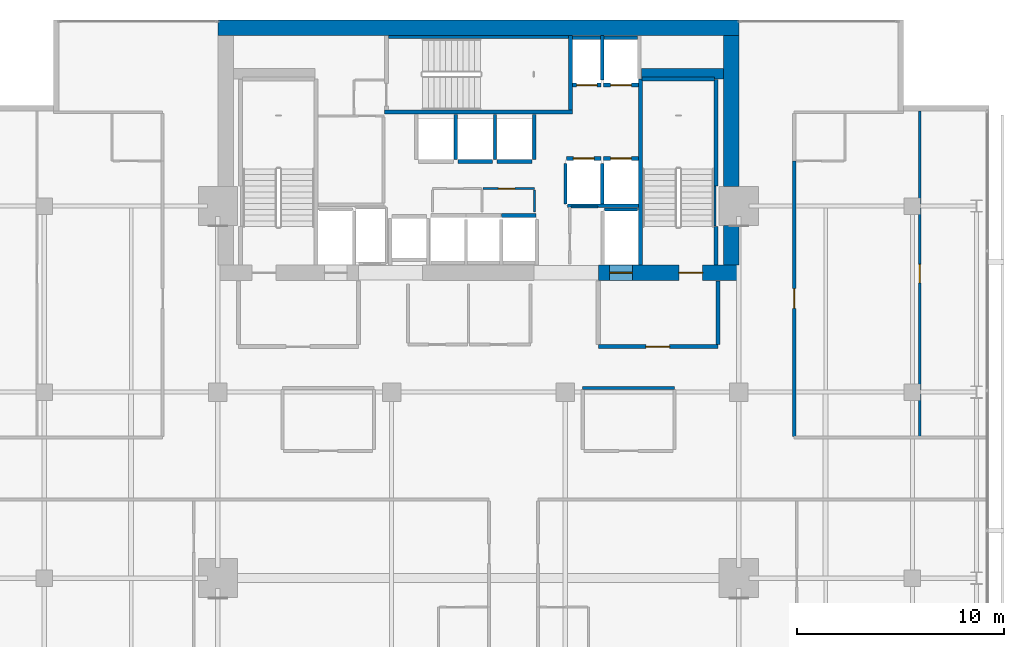
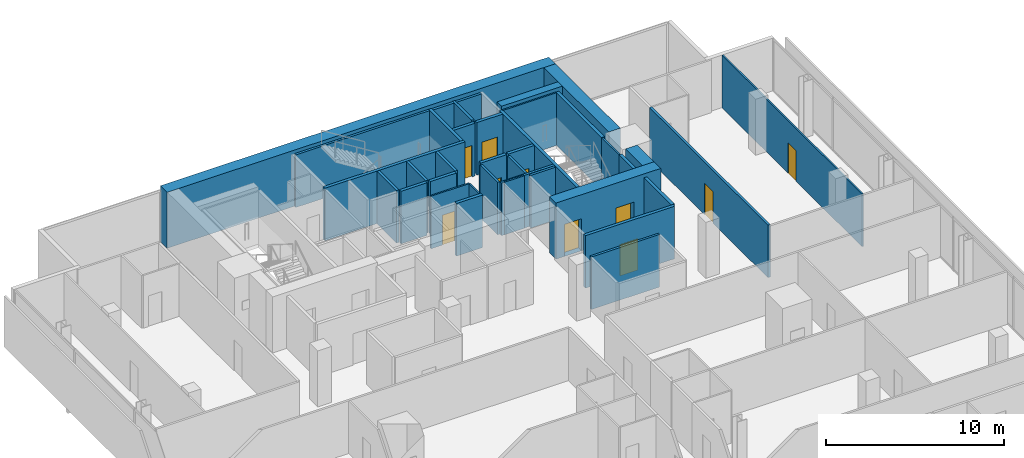
# One storey, part 30 of 33: 37 walls, 10 doors, 10 openings.
"""IFC4 building model written with IfcOpenShell, lengths in metres."""

from ifc_helpers import new_model, si_unit, direction, frame, frame_2d, origin, place, context, subcontext, project, spatial, rectangle, extrude, material, layer, layer_set, type_object, element, fill, save


model = new_model("IFC4")

# Units and contexts
model_context = context("Model", 3, precision=1e-05, world=origin(), true_north=direction((0.0, 1.0)))
body_context = subcontext(model_context, "Body", "Model", "MODEL_VIEW")
ifc_project = project(units=[si_unit("LENGTHUNIT", "METRE"), si_unit("AREAUNIT", "SQUARE_METRE"), si_unit("VOLUMEUNIT", "CUBIC_METRE"), si_unit("PLANEANGLEUNIT", "RADIAN"), si_unit("MASSUNIT", "GRAM", prefix="KILO")], contexts=[model_context])

# Site, building, storey
site_placement = place(None, origin())
site = spatial("IfcSite", under=ifc_project, at=site_placement, CompositionType="ELEMENT")
building_placement = place(site_placement, origin())
building = spatial("IfcBuilding", under=site, at=building_placement, Name="Maruvema Waterfront Hotel and Observation Tower", CompositionType="ELEMENT")
storey_placement = place(building_placement, frame((0.0, 0.0, 204.39990234375)))
storey = spatial("IfcBuildingStorey", under=building, at=storey_placement, Name="L50", CompositionType="ELEMENT", Elevation=204.39990234375)

# Wall
ifc_material_1 = material(Name="Twin-stud acoustic gypsum drywall", Category="gypsum")
ifc_layer_1 = layer(ifc_material_1, 0.14990234375, Name="Acoustic Corridor and Suite Demising Wall 150 mm")
ifc_layer_set_1 = layer_set([ifc_layer_1], Name="Twin-stud acoustic gypsum drywall")
wall_type_1 = type_object("IfcWallType", Name="Acoustic Corridor and Suite Demising Wall 150 mm", PredefinedType="PARTITIONING", material=ifc_layer_set_1)
wall_1_placement = place(storey_placement, frame((42.85009765625, 36.199951171875, 0.0), z_axis=(0.0, 0.0, 1.0), x_axis=(1.0, 0.0, 0.0)))
element("IfcWall", 1, at=wall_1_placement, inside=storey, type_object=wall_type_1, Name="L50 L50-M2 Back Wall 031", PredefinedType="PARTITIONING", context=body_context, shape_type="SweptSolid", body=[
    extrude(rectangle(XDim=4.429931640625, YDim=0.14990234375, at=frame_2d((2.21484375, 0.0))), origin(), (0.0, 0.0, 1.0), 3.610107421875),
])

# Wall, opening, door
wall_2_placement = place(storey_placement, frame((53.080078125, 33.860107421875, 0.0), z_axis=(0.0, 0.0, 1.0), x_axis=(0.0, 1.0, 0.0)))
wall_2 = element("IfcWall", 2, at=wall_2_placement, inside=storey, type_object=wall_type_1, Name="L50 Room L50-NE1 Corridor Wall 101", PredefinedType="PARTITIONING", context=body_context, shape_type="SweptSolid", body=[
    extrude(rectangle(XDim=13.327392578125, YDim=0.14990234375, at=frame_2d((6.66357421875, 0.0))), origin(), (0.0, 0.0, 1.0), 3.610107421875),
])
opening_1_placement = place(wall_2_placement, frame((6.188720703125, 0.0, 0.0)))
opening_1 = element("IfcOpeningElement", 3, at=opening_1_placement, cuts=wall_2, Name="Opening DR-095", PredefinedType="OPENING", context=body_context, shape_type="SweptSolid", body=[
    extrude(rectangle(XDim=0.949951171875, YDim=2.14990234375, at=frame_2d((0.47509765625, 1.074951171875))), frame((0.0, 0.0849609375, 0.0), z_axis=(0.0, -1.0, 0.0), x_axis=(1.0, 0.0, 0.0)), (0.0, 0.0, 1.0), 0.169921875),
])
ifc_material_2 = material(Name="Acoustic solid-core hardwood timber leaf", Category="wood")
door_type_1 = type_object("IfcDoorType", Name="Guestroom Entrance Fire Door 950x2150 mm", OperationType="NOTDEFINED", PredefinedType="DOOR", material=ifc_material_2)
door_1_placement = place(opening_1_placement, frame((0.949951171875, 0.0, 0.0), z_axis=(0.0, 0.0, 1.0), x_axis=(-1.0, 0.0, 0.0)))
door_1 = element("IfcDoor", 4, at=door_1_placement, inside=storey, type_object=door_type_1, Name="L50 Room L50-NE1 Entrance Door", OperationType="SINGLE_SWING_RIGHT", OverallHeight=2.14990234375, OverallWidth=0.949951171875, PredefinedType="DOOR", context=body_context, shape_type="SweptSolid", body=[
    extrude(rectangle(XDim=0.949951171875, YDim=2.14990234375, at=frame_2d((0.47509765625, 1.074951171875))), frame((0.0, 0.02490234375, 0.0), z_axis=(0.0, -1.0, 0.0), x_axis=(1.0, 0.0, 0.0)), (0.0, 0.0, 1.0), 0.050048828125),
])
fill(opening_1, door_1)

# Walls
ifc_material_3 = material(Name="Precast concrete C45/55", Category="concrete")
ifc_layer_2 = layer(ifc_material_3, 0.14990234375, Name="Core Shaft Furring Wall 150 mm")
ifc_layer_set_2 = layer_set([ifc_layer_2], Name="Precast concrete C45/55")
wall_type_2 = type_object("IfcWallType", Name="Core Shaft Furring Wall 150 mm", PredefinedType="SOLIDWALL", material=ifc_layer_set_2)
wall_3_placement = place(storey_placement, frame((33.449951171875, 53.175048828125, 0.0), z_axis=(0.0, 0.0, 1.0), x_axis=(1.0, 0.0, 0.0)))
element("IfcWall", 5, at=wall_3_placement, inside=storey, type_object=wall_type_2, Name="L50 Stairwell ST-02 North Furring Wall", PredefinedType="SOLIDWALL", context=body_context, shape_type="SweptSolid", body=[
    extrude(rectangle(XDim=8.699951171875, YDim=0.14990234375, at=frame_2d((4.35009765625, 0.0))), origin(), (0.0, 0.0, 1.0), 3.610107421875),
])
ifc_material_4 = material(Name="Precast concrete C45/55", Category="concrete")
ifc_layer_3 = layer(ifc_material_4, 0.199951171875, Name="Core Shaft and Stairwell Enclosure Wall 200 mm")
ifc_layer_set_3 = layer_set([ifc_layer_3], Name="Precast concrete C45/55")
wall_type_3 = type_object("IfcWallType", Name="Core Shaft and Stairwell Enclosure Wall 200 mm", PredefinedType="SOLIDWALL", material=ifc_layer_set_3)
wall_4_placement = place(storey_placement, frame((33.25, 49.550048828125, 0.0), z_axis=(0.0, 0.0, 1.0), x_axis=(1.0, 0.0, 0.0)))
element("IfcWall", 6, at=wall_4_placement, inside=storey, type_object=wall_type_3, Name="L50 Stairwell ST-02 Shaft Wall", PredefinedType="SOLIDWALL", context=body_context, shape_type="SweptSolid", body=[
    extrude(rectangle(XDim=9.10009765625, YDim=0.199951171875, at=frame_2d((4.550048828125, 0.0))), origin(), (0.0, 0.0, 1.0), 3.610107421875),
])
wall_5_placement = place(storey_placement, frame((42.25, 49.64990234375, 0.0), z_axis=(0.0, 0.0, 1.0), x_axis=(0.0, 1.0, 0.0)))
element("IfcWall", 7, at=wall_5_placement, inside=storey, type_object=wall_type_3, Name="L50 Stairwell ST-02 Shaft Wall", PredefinedType="SOLIDWALL", context=body_context, shape_type="SweptSolid", body=[
    extrude(rectangle(XDim=3.60009765625, YDim=0.199951171875, at=frame_2d((1.800048828125, 0.0))), origin(), (0.0, 0.0, 1.0), 3.610107421875),
])
wall_6_placement = place(storey_placement, frame((45.64990234375, 42.14990234375, 0.0), z_axis=(0.0, 0.0, 1.0), x_axis=(0.0, 1.0, 0.0)))
element("IfcWall", 8, at=wall_6_placement, inside=storey, type_object=wall_type_3, Name="L50 Stairwell ST-03 West Shaft Wall", PredefinedType="SOLIDWALL", context=body_context, shape_type="SweptSolid", body=[
    extrude(rectangle(XDim=9.0, YDim=0.199951171875, at=frame_2d((4.5, 0.0))), origin(), (0.0, 0.0, 1.0), 3.610107421875),
])
wall_7_placement = place(storey_placement, frame((49.300048828125, 42.14990234375, 0.0), z_axis=(0.0, 0.0, 1.0), x_axis=(0.0, 1.0, 0.0)))
element("IfcWall", 9, at=wall_7_placement, inside=storey, type_object=wall_type_3, Name="L50 Stairwell ST-03 Shaft Lining Wall", PredefinedType="SOLIDWALL", context=body_context, shape_type="SweptSolid", body=[
    extrude(rectangle(XDim=1.8701171875, YDim=0.199951171875, at=frame_2d((0.93505859375, 0.0))), origin(), (0.0, 0.0, 1.0), 3.610107421875),
])
wall_8_placement = place(storey_placement, frame((49.300048828125, 45.97998046875, 0.0), z_axis=(0.0, 0.0, 1.0), x_axis=(0.0, 1.0, 0.0)))
element("IfcWall", 10, at=wall_8_placement, inside=storey, type_object=wall_type_3, Name="L50 Stairwell ST-03 Shaft Lining Wall", PredefinedType="SOLIDWALL", context=body_context, shape_type="SweptSolid", body=[
    extrude(rectangle(XDim=5.14013671875, YDim=0.199951171875, at=frame_2d((2.570068359375, 0.0))), origin(), (0.0, 0.0, 1.0), 3.610107421875),
])
wall_9_placement = place(storey_placement, frame((45.719970703125, 51.14990234375, 0.0), z_axis=(0.0, 0.0, 1.0), x_axis=(1.0, 0.0, 0.0)))
element("IfcWall", 11, at=wall_9_placement, inside=storey, type_object=wall_type_3, Name="L50 Stairwell ST-03 Shaft Lining Wall", PredefinedType="SOLIDWALL", context=body_context, shape_type="SweptSolid", body=[
    extrude(rectangle(XDim=3.5, YDim=0.199951171875, at=frame_2d((1.75, 0.0))), origin(), (0.0, 0.0, 1.0), 3.610107421875),
])

# Wall, opening, door
wall_10_placement = place(storey_placement, frame((42.06005859375, 47.300048828125, 0.0), z_axis=(0.0, 0.0, 1.0), x_axis=(1.0, 0.0, 0.0)))
wall_10 = element("IfcWall", 12, at=wall_10_placement, inside=storey, type_object=wall_type_3, Name="L50 Lift LF-05 Hoistway Front Wall", PredefinedType="SOLIDWALL", context=body_context, shape_type="SweptSolid", body=[
    extrude(rectangle(XDim=1.679931640625, YDim=0.199951171875, at=frame_2d((0.83984375, 0.0))), origin(), (0.0, 0.0, 1.0), 3.610107421875),
])
opening_2_placement = place(wall_10_placement, frame((0.340087890625, 0.0, 0.0)))
opening_2 = element("IfcOpeningElement", 13, at=opening_2_placement, cuts=wall_10, Name="Opening LD-01", PredefinedType="OPENING", context=body_context, shape_type="SweptSolid", body=[
    extrude(rectangle(XDim=1.0, YDim=2.14990234375, at=frame_2d((0.5, 1.074951171875))), frame((0.0, 0.10986328125, 0.0), z_axis=(0.0, -1.0, 0.0), x_axis=(1.0, 0.0, 0.0)), (0.0, 0.0, 1.0), 0.219970703125),
])
ifc_material_5 = material(Name="Brushed stainless steel Grade 316", Category="steel")
door_type_2 = type_object("IfcDoorType", Name="Passenger Lift Sliding Landing Door 1000x2150 mm", OperationType="SLIDING_TO_LEFT", PredefinedType="DOOR", material=ifc_material_5)
door_2_placement = place(opening_2_placement, origin())
door_2 = element("IfcDoor", 14, at=door_2_placement, inside=storey, type_object=door_type_2, Name="L50 Lift LF-05 Sliding Landing Door", OperationType="SLIDING_TO_LEFT", OverallHeight=2.14990234375, OverallWidth=1.0, PredefinedType="DOOR", context=body_context, shape_type="SweptSolid", body=[
    extrude(rectangle(XDim=1.0, YDim=2.14990234375, at=frame_2d((0.5, 1.074951171875))), frame((0.0, 0.02490234375, 0.0), z_axis=(0.0, -1.0, 0.0), x_axis=(1.0, 0.0, 0.0)), (0.0, 0.0, 1.0), 0.050048828125),
])
fill(opening_2, door_2)

wall_11_placement = place(storey_placement, frame((43.860107421875, 47.300048828125, 0.0), z_axis=(0.0, 0.0, 1.0), x_axis=(1.0, 0.0, 0.0)))
wall_11 = element("IfcWall", 15, at=wall_11_placement, inside=storey, type_object=wall_type_3, Name="L50 Lift LF-06 Hoistway Front Wall", PredefinedType="SOLIDWALL", context=body_context, shape_type="SweptSolid", body=[
    extrude(rectangle(XDim=1.679931640625, YDim=0.199951171875, at=frame_2d((0.83984375, 0.0))), origin(), (0.0, 0.0, 1.0), 3.610107421875),
])
opening_3_placement = place(wall_11_placement, frame((0.340087890625, 0.0, 0.0)))
opening_3 = element("IfcOpeningElement", 16, at=opening_3_placement, cuts=wall_11, Name="Opening LD-01", PredefinedType="OPENING", context=body_context, shape_type="SweptSolid", body=[
    extrude(rectangle(XDim=1.0, YDim=2.14990234375, at=frame_2d((0.5, 1.074951171875))), frame((0.0, 0.10986328125, 0.0), z_axis=(0.0, -1.0, 0.0), x_axis=(1.0, 0.0, 0.0)), (0.0, 0.0, 1.0), 0.219970703125),
])
door_3_placement = place(opening_3_placement, origin())
door_3 = element("IfcDoor", 17, at=door_3_placement, inside=storey, type_object=door_type_2, Name="L50 Lift LF-06 Sliding Landing Door", OperationType="SLIDING_TO_LEFT", OverallHeight=2.14990234375, OverallWidth=1.0, PredefinedType="DOOR", context=body_context, shape_type="SweptSolid", body=[
    extrude(rectangle(XDim=1.0, YDim=2.14990234375, at=frame_2d((0.5, 1.074951171875))), frame((0.0, 0.02490234375, 0.0), z_axis=(0.0, -1.0, 0.0), x_axis=(1.0, 0.0, 0.0)), (0.0, 0.0, 1.0), 0.050048828125),
])
fill(opening_3, door_3)

wall_12_placement = place(storey_placement, frame((42.360107421875, 50.85009765625, 0.0), z_axis=(0.0, 0.0, 1.0), x_axis=(1.0, 0.0, 0.0)))
wall_12 = element("IfcWall", 18, at=wall_12_placement, inside=storey, type_object=wall_type_3, Name="L50 Lift LF-07 Hoistway Front Wall", PredefinedType="SOLIDWALL", context=body_context, shape_type="SweptSolid", body=[
    extrude(rectangle(XDim=1.3798828125, YDim=0.199951171875, at=frame_2d((0.68994140625, 0.0))), origin(), (0.0, 0.0, 1.0), 3.610107421875),
])
opening_4_placement = place(wall_12_placement, frame((0.18994140625, 0.0, 0.0)))
opening_4 = element("IfcOpeningElement", 19, at=opening_4_placement, cuts=wall_12, Name="Opening LD-01", PredefinedType="OPENING", context=body_context, shape_type="SweptSolid", body=[
    extrude(rectangle(XDim=1.0, YDim=2.14990234375, at=frame_2d((0.5, 1.074951171875))), frame((0.0, 0.10986328125, 0.0), z_axis=(0.0, -1.0, 0.0), x_axis=(1.0, 0.0, 0.0)), (0.0, 0.0, 1.0), 0.219970703125),
])
door_4_placement = place(opening_4_placement, frame((1.0, 0.0, 0.0), z_axis=(0.0, 0.0, 1.0), x_axis=(-1.0, 0.0, 0.0)))
door_4 = element("IfcDoor", 20, at=door_4_placement, inside=storey, type_object=door_type_2, Name="L50 Lift LF-07 Sliding Landing Door", OperationType="SLIDING_TO_LEFT", OverallHeight=2.14990234375, OverallWidth=1.0, PredefinedType="DOOR", context=body_context, shape_type="SweptSolid", body=[
    extrude(rectangle(XDim=1.0, YDim=2.14990234375, at=frame_2d((0.5, 1.074951171875))), frame((0.0, 0.02490234375, 0.0), z_axis=(0.0, -1.0, 0.0), x_axis=(1.0, 0.0, 0.0)), (0.0, 0.0, 1.0), 0.050048828125),
])
fill(opening_4, door_4)

wall_13_placement = place(storey_placement, frame((43.860107421875, 50.85009765625, 0.0), z_axis=(0.0, 0.0, 1.0), x_axis=(1.0, 0.0, 0.0)))
wall_13 = element("IfcWall", 21, at=wall_13_placement, inside=storey, type_object=wall_type_3, Name="L50 Lift LF-08 Hoistway Front Wall", PredefinedType="SOLIDWALL", context=body_context, shape_type="SweptSolid", body=[
    extrude(rectangle(XDim=1.679931640625, YDim=0.199951171875, at=frame_2d((0.83984375, 0.0))), origin(), (0.0, 0.0, 1.0), 3.610107421875),
])
opening_5_placement = place(wall_13_placement, frame((0.340087890625, 0.0, 0.0)))
opening_5 = element("IfcOpeningElement", 22, at=opening_5_placement, cuts=wall_13, Name="Opening LD-01", PredefinedType="OPENING", context=body_context, shape_type="SweptSolid", body=[
    extrude(rectangle(XDim=1.0, YDim=2.14990234375, at=frame_2d((0.5, 1.074951171875))), frame((0.0, 0.10986328125, 0.0), z_axis=(0.0, -1.0, 0.0), x_axis=(1.0, 0.0, 0.0)), (0.0, 0.0, 1.0), 0.219970703125),
])
door_5_placement = place(opening_5_placement, frame((1.0, 0.0, 0.0), z_axis=(0.0, 0.0, 1.0), x_axis=(-1.0, 0.0, 0.0)))
door_5 = element("IfcDoor", 23, at=door_5_placement, inside=storey, type_object=door_type_2, Name="L50 Lift LF-08 Sliding Landing Door", OperationType="SLIDING_TO_LEFT", OverallHeight=2.14990234375, OverallWidth=1.0, PredefinedType="DOOR", context=body_context, shape_type="SweptSolid", body=[
    extrude(rectangle(XDim=1.0, YDim=2.14990234375, at=frame_2d((0.5, 1.074951171875))), frame((0.0, 0.02490234375, 0.0), z_axis=(0.0, -1.0, 0.0), x_axis=(1.0, 0.0, 0.0)), (0.0, 0.0, 1.0), 0.050048828125),
])
fill(opening_5, door_5)

# Walls
wall_14_placement = place(storey_placement, frame((38.909912109375, 44.550048828125, 0.0), z_axis=(0.0, 0.0, 1.0), x_axis=(1.0, 0.0, 0.0)))
element("IfcWall", 24, at=wall_14_placement, inside=storey, type_object=wall_type_3, Name="L50 Lift LF-11 Hoistway Front Wall", PredefinedType="SOLIDWALL", context=body_context, shape_type="SweptSolid", body=[
    extrude(rectangle(XDim=1.68017578125, YDim=0.199951171875, at=frame_2d((0.840087890625, 0.0))), origin(), (0.0, 0.0, 1.0), 3.610107421875),
])
for number, where, z_axis, x_axis, name in (
    (25, (36.81005859375, 47.14990234375, 0.0), (0.0, 0.0, 1.0), (1.0, 0.0, 0.0), "L50 Lift LF-13 Hoistway Front Wall"),
    (26, (38.7099609375, 47.14990234375, 0.0), (0.0, 0.0, 1.0), (1.0, 0.0, 0.0), "L50 Lift LF-14 Hoistway Front Wall"),
):
    element("IfcWall", number, at=place(storey_placement, frame(where, z_axis=z_axis, x_axis=x_axis)), inside=storey, type_object=wall_type_3, Name=name, PredefinedType="SOLIDWALL", context=body_context, shape_type="SweptSolid", body=[
        extrude(rectangle(XDim=1.679931640625, YDim=0.199951171875, at=frame_2d((0.83984375, 0.0))), origin(), (0.0, 0.0, 1.0), 3.610107421875),
    ])
ifc_material_6 = material(Name="Concrete C70/85", Category="concrete")
ifc_layer_4 = layer(ifc_material_6, 0.5, Name="Core Shear Wall 500 mm")
ifc_layer_set_4 = layer_set([ifc_layer_4], Name="Concrete C70/85")
wall_type_4 = type_object("IfcWallType", Name="Core Shear Wall 500 mm", PredefinedType="SHEAR", material=ifc_layer_set_4)
wall_15_placement = place(storey_placement, frame((45.699951171875, 51.39990234375, 0.0), z_axis=(0.0, 0.0, 1.0), x_axis=(1.0, 0.0, 0.0)))
element("IfcWall", 27, at=wall_15_placement, inside=storey, type_object=wall_type_4, Name="L50 Internal Core Shear Wall NE 500 mm", PredefinedType="SHEAR", context=body_context, shape_type="SweptSolid", body=[
    extrude(rectangle(XDim=3.949951171875, YDim=0.5, at=frame_2d((1.97509765625, 0.0))), origin(), (0.0, 0.0, 1.0), 3.85009765625),
])
ifc_material_7 = material(Name="Concrete C70/85", Category="concrete")
ifc_layer_5 = layer(ifc_material_7, 0.75, Name="Core Shear Wall 750 mm")
ifc_layer_set_5 = layer_set([ifc_layer_5], Name="Concrete C70/85")
wall_type_5 = type_object("IfcWallType", Name="Core Shear Wall 750 mm", PredefinedType="SHEAR", material=ifc_layer_set_5)
wall_16_placement = place(storey_placement, frame((25.199951171875, 53.625, 0.0), z_axis=(0.0, 0.0, 1.0), x_axis=(1.0, 0.0, 0.0)))
element("IfcWall", 28, at=wall_16_placement, inside=storey, type_object=wall_type_5, Name="L50 North Core Shear Wall", PredefinedType="SHEAR", context=body_context, shape_type="SweptSolid", body=[
    extrude(rectangle(XDim=25.199951171875, YDim=0.75, at=frame_2d((12.60009765625, 0.0))), origin(), (0.0, 0.0, 1.0), 3.85009765625),
])

# Wall, openings, doors
wall_17_placement = place(storey_placement, frame((43.60009765625, 41.77490234375, 0.0), z_axis=(0.0, 0.0, 1.0), x_axis=(1.0, 0.0, 0.0)))
wall_17 = element("IfcWall", 29, at=wall_17_placement, inside=storey, type_object=wall_type_5, Name="L50 South-East Core Shear Wall", PredefinedType="SHEAR", context=body_context, shape_type="SweptSolid", body=[
    extrude(rectangle(XDim=6.7998046875, YDim=0.75, at=frame_2d((3.39990234375, 0.0))), origin(), (0.0, 0.0, 1.0), 3.85009765625),
])
opening_6_placement = place(wall_17_placement, frame((3.89990234375, 0.0, 0.0)))
opening_6 = element("IfcOpeningElement", 30, at=opening_6_placement, cuts=wall_17, Name="Opening SD-01", PredefinedType="OPENING", context=body_context, shape_type="SweptSolid", body=[
    extrude(rectangle(XDim=1.14990234375, YDim=2.14990234375, at=frame_2d((0.574951171875, 1.074951171875))), frame((0.0, 0.385009765625, 0.0), z_axis=(0.0, -1.0, 0.0), x_axis=(1.0, 0.0, 0.0)), (0.0, 0.0, 1.0), 0.77001953125),
])
opening_7_placement = place(wall_17_placement, frame((0.550048828125, 0.0, 0.0)))
opening_7 = element("IfcOpeningElement", 31, at=opening_7_placement, cuts=wall_17, Name="Opening LD-03", PredefinedType="OPENING", context=body_context, shape_type="SweptSolid", body=[
    extrude(rectangle(XDim=1.10009765625, YDim=2.199951171875, at=frame_2d((0.550048828125, 1.10009765625))), frame((0.0, 0.385009765625, 0.0), z_axis=(0.0, -1.0, 0.0), x_axis=(1.0, 0.0, 0.0)), (0.0, 0.0, 1.0), 0.77001953125),
])
ifc_material_8 = material(Name="Fire-rated galvanised steel leaf", Category="steel")
door_type_3 = type_object("IfcDoorType", Name="Exit Stair Fire Door 1150x2150 mm", OperationType="NOTDEFINED", PredefinedType="DOOR", material=ifc_material_8)
door_6_placement = place(opening_6_placement, origin())
door_6 = element("IfcDoor", 32, at=door_6_placement, inside=storey, type_object=door_type_3, Name="L50 Exit Stair ST-03 Fire Door", OperationType="SINGLE_SWING_RIGHT", OverallHeight=2.14990234375, OverallWidth=1.14990234375, PredefinedType="DOOR", context=body_context, shape_type="SweptSolid", body=[
    extrude(rectangle(XDim=1.14990234375, YDim=2.14990234375, at=frame_2d((0.574951171875, 1.074951171875))), frame((0.0, 0.02490234375, 0.0), z_axis=(0.0, -1.0, 0.0), x_axis=(1.0, 0.0, 0.0)), (0.0, 0.0, 1.0), 0.050048828125),
])
fill(opening_6, door_6)
ifc_material_9 = material(Name="Brushed stainless steel Grade 316", Category="steel")
door_type_4 = type_object("IfcDoorType", Name="Firefighting Lift Sliding Landing Door 1100x2200 mm", OperationType="SLIDING_TO_LEFT", PredefinedType="DOOR", material=ifc_material_9)
door_7_placement = place(opening_7_placement, frame((1.10009765625, 0.0, 0.0), z_axis=(0.0, 0.0, 1.0), x_axis=(-1.0, 0.0, 0.0)))
door_7 = element("IfcDoor", 33, at=door_7_placement, inside=storey, type_object=door_type_4, Name="L50 Firefighting Lift FL-02 Landing Door", OperationType="SLIDING_TO_LEFT", OverallHeight=2.199951171875, OverallWidth=1.10009765625, PredefinedType="DOOR", context=body_context, shape_type="SweptSolid", body=[
    extrude(rectangle(XDim=1.10009765625, YDim=2.199951171875, at=frame_2d((0.550048828125, 1.10009765625))), frame((0.0, 0.02490234375, 0.0), z_axis=(0.0, -1.0, 0.0), x_axis=(1.0, 0.0, 0.0)), (0.0, 0.0, 1.0), 0.050048828125),
])
fill(opening_7, door_7)

# Walls
wall_18_placement = place(storey_placement, frame((50.02490234375, 42.14990234375, 0.0), z_axis=(0.0, 0.0, 1.0), x_axis=(0.0, 1.0, 0.0)))
element("IfcWall", 34, at=wall_18_placement, inside=storey, type_object=wall_type_5, Name="L50 East-South Core Shear Wall", PredefinedType="SHEAR", context=body_context, shape_type="SweptSolid", body=[
    extrude(rectangle(XDim=1.900146484375, YDim=0.75, at=frame_2d((0.9501953125, 0.0))), origin(), (0.0, 0.0, 1.0), 3.85009765625),
])
wall_19_placement = place(storey_placement, frame((50.02490234375, 45.949951171875, 0.0), z_axis=(0.0, 0.0, 1.0), x_axis=(0.0, 1.0, 0.0)))
element("IfcWall", 35, at=wall_19_placement, inside=storey, type_object=wall_type_5, Name="L50 East-North Core Shear Wall", PredefinedType="SHEAR", context=body_context, shape_type="SweptSolid", body=[
    extrude(rectangle(XDim=7.300048828125, YDim=0.75, at=frame_2d((3.64990234375, 0.0))), origin(), (0.0, 0.0, 1.0), 3.85009765625),
])

# Wall, opening, door
ifc_material_10 = material(Name="Moisture-resistant cement-board drywall", Category="gypsum")
ifc_layer_6 = layer(ifc_material_10, 0.10009765625, Name="En-Suite Moisture-Resistant Partition 100 mm")
ifc_layer_set_6 = layer_set([ifc_layer_6], Name="Moisture-resistant cement-board drywall")
wall_type_6 = type_object("IfcWallType", Name="En-Suite Moisture-Resistant Partition 100 mm", PredefinedType="PARTITIONING", material=ifc_layer_set_6)
wall_20_placement = place(storey_placement, frame((38.02001953125, 45.840087890625, 0.0), z_axis=(0.0, 0.0, 1.0), x_axis=(1.0, 0.0, 0.0)))
wall_20 = element("IfcWall", 36, at=wall_20_placement, inside=storey, type_object=wall_type_6, Name="L50 Core Closet K2B North 011", PredefinedType="PARTITIONING", context=body_context, shape_type="SweptSolid", body=[
    extrude(rectangle(XDim=2.5, YDim=0.10009765625, at=frame_2d((1.25, 0.0))), origin(), (0.0, 0.0, 1.0), 3.610107421875),
])
opening_8_placement = place(wall_20_placement, frame((0.75, 0.0, 0.0)))
opening_8 = element("IfcOpeningElement", 37, at=opening_8_placement, cuts=wall_20, Name="Opening DR-080", PredefinedType="OPENING", context=body_context, shape_type="SweptSolid", body=[
    extrude(rectangle(XDim=0.800048828125, YDim=2.050048828125, at=frame_2d((0.39990234375, 1.02490234375))), frame((0.0, 0.06005859375, 0.0), z_axis=(0.0, -1.0, 0.0), x_axis=(1.0, 0.0, 0.0)), (0.0, 0.0, 1.0), 0.1201171875),
])
ifc_material_11 = material(Name="Powder-coated steel access leaf", Category="steel")
door_type_5 = type_object("IfcDoorType", Name="Riser and Service Cupboard Door 800x2050 mm", OperationType="NOTDEFINED", PredefinedType="DOOR", material=ifc_material_11)
door_8_placement = place(opening_8_placement, origin())
door_8 = element("IfcDoor", 38, at=door_8_placement, inside=storey, type_object=door_type_5, Name="L50 Core Linen Cupboard Door", OperationType="SINGLE_SWING_RIGHT", OverallHeight=2.050048828125, OverallWidth=0.800048828125, PredefinedType="DOOR", context=body_context, shape_type="SweptSolid", body=[
    extrude(rectangle(XDim=0.800048828125, YDim=2.050048828125, at=frame_2d((0.39990234375, 1.02490234375))), frame((0.0, 0.02490234375, 0.0), z_axis=(0.0, -1.0, 0.0), x_axis=(1.0, 0.0, 0.0)), (0.0, 0.0, 1.0), 0.050048828125),
])
fill(opening_8, door_8)

# Walls
wall_21_placement = place(storey_placement, frame((40.52001953125, 44.699951171875, 0.0), z_axis=(0.0, 0.0, 1.0), x_axis=(0.0, 1.0, 0.0)))
element("IfcWall", 39, at=wall_21_placement, inside=storey, type_object=wall_type_6, Name="L50 Core Closet K2 East 014", PredefinedType="PARTITIONING", context=body_context, shape_type="SweptSolid", body=[
    extrude(rectangle(XDim=1.080078125, YDim=0.10009765625, at=frame_2d((0.5400390625, 0.0))), origin(), (0.0, 0.0, 1.0), 3.610107421875),
])
wall_22_placement = place(storey_placement, frame((42.280029296875, 44.9599609375, 0.0), z_axis=(0.0, 0.0, 1.0), x_axis=(1.0, 0.0, 0.0)))
element("IfcWall", 40, at=wall_22_placement, inside=storey, type_object=wall_type_6, Name="L50 Core Closet K2C North 016", PredefinedType="PARTITIONING", context=body_context, shape_type="SweptSolid", body=[
    extrude(rectangle(XDim=1.300048828125, YDim=0.10009765625, at=frame_2d((0.64990234375, 0.0))), origin(), (0.0, 0.0, 1.0), 3.610107421875),
])

# Wall, opening, door
wall_23_placement = place(storey_placement, frame((59.154296875, 33.860107421875, 0.0), z_axis=(0.0, 0.0, 1.0), x_axis=(0.0, 1.0, 0.0)))
wall_23 = element("IfcWall", 41, at=wall_23_placement, inside=storey, type_object=wall_type_6, Name="L50 Suite L50-NE1 Split 105", PredefinedType="PARTITIONING", context=body_context, shape_type="SweptSolid", body=[
    extrude(rectangle(XDim=15.7373046875, YDim=0.10009765625, at=frame_2d((7.86865234375, 0.0))), origin(), (0.0, 0.0, 1.0), 3.610107421875),
])
opening_9_placement = place(wall_23_placement, frame((7.418701171875, 0.0, 0.0)))
opening_9 = element("IfcOpeningElement", 42, at=opening_9_placement, cuts=wall_23, Name="Opening DR-090", PredefinedType="OPENING", context=body_context, shape_type="SweptSolid", body=[
    extrude(rectangle(XDim=0.89990234375, YDim=2.10009765625, at=frame_2d((0.449951171875, 1.050048828125))), frame((0.0, 0.06005859375, 0.0), z_axis=(0.0, -1.0, 0.0), x_axis=(1.0, 0.0, 0.0)), (0.0, 0.0, 1.0), 0.1201171875),
])
ifc_material_12 = material(Name="Solid-core lacquered timber leaf", Category="wood")
door_type_6 = type_object("IfcDoorType", Name="Accessible Toilet and Room Door 900x2100 mm", OperationType="NOTDEFINED", PredefinedType="DOOR", material=ifc_material_12)
door_9_placement = place(opening_9_placement, frame((0.89990234375, 0.0, 0.0), z_axis=(0.0, 0.0, 1.0), x_axis=(-1.0, 0.0, 0.0)))
door_9 = element("IfcDoor", 43, at=door_9_placement, inside=storey, type_object=door_type_6, Name="L50 Suite L50-NE1 Bedroom Door", OperationType="SINGLE_SWING_LEFT", OverallHeight=2.10009765625, OverallWidth=0.89990234375, PredefinedType="DOOR", context=body_context, shape_type="SweptSolid", body=[
    extrude(rectangle(XDim=0.89990234375, YDim=2.10009765625, at=frame_2d((0.449951171875, 1.050048828125))), frame((0.0, 0.02490234375, 0.0), z_axis=(0.0, -1.0, 0.0), x_axis=(1.0, 0.0, 0.0)), (0.0, 0.0, 1.0), 0.050048828125),
])
fill(opening_9, door_9)

ifc_material_13 = material(Name="Autoclaved cellular concrete blockwork", Category="masonry")
ifc_layer_7 = layer(ifc_material_13, 0.199951171875, Name="Fire Compartment Masonry Wall 200 mm")
ifc_layer_set_7 = layer_set([ifc_layer_7], Name="Autoclaved cellular concrete blockwork")
wall_type_7 = type_object("IfcWallType", Name="Fire Compartment Masonry Wall 200 mm", PredefinedType="PARTITIONING", material=ifc_layer_set_7)
wall_24_placement = place(storey_placement, frame((43.60009765625, 38.199951171875, 0.0), z_axis=(0.0, 0.0, 1.0), x_axis=(1.0, 0.0, 0.0)))
wall_24 = element("IfcWall", 44, at=wall_24_placement, inside=storey, type_object=wall_type_7, Name="L50 FFL East South Wall 004", PredefinedType="PARTITIONING", context=body_context, shape_type="SweptSolid", body=[
    extrude(rectangle(XDim=5.7998046875, YDim=0.199951171875, at=frame_2d((2.89990234375, 0.0))), origin(), (0.0, 0.0, 1.0), 3.610107421875),
])
opening_10_placement = place(wall_24_placement, frame((2.300048828125, 0.0, 0.0)))
opening_10 = element("IfcOpeningElement", 45, at=opening_10_placement, cuts=wall_24, Name="Opening FD-115", PredefinedType="OPENING", context=body_context, shape_type="SweptSolid", body=[
    extrude(rectangle(XDim=1.14990234375, YDim=2.14990234375, at=frame_2d((0.574951171875, 1.074951171875))), frame((0.0, 0.10986328125, 0.0), z_axis=(0.0, -1.0, 0.0), x_axis=(1.0, 0.0, 0.0)), (0.0, 0.0, 1.0), 0.219970703125),
])
ifc_material_14 = material(Name="Fire-rated galvanised steel and vision glass", Category="steel")
door_type_7 = type_object("IfcDoorType", Name="Firefighting Lobby Fire Door 1150x2150 mm", OperationType="NOTDEFINED", PredefinedType="DOOR", material=ifc_material_14)
door_10_placement = place(opening_10_placement, frame((1.14990234375, 0.0, 0.0), z_axis=(0.0, 0.0, 1.0), x_axis=(-1.0, 0.0, 0.0)))
door_10 = element("IfcDoor", 46, at=door_10_placement, inside=storey, type_object=door_type_7, Name="L50 Firefighting Lobby East Door", OperationType="SINGLE_SWING_LEFT", OverallHeight=2.14990234375, OverallWidth=1.14990234375, PredefinedType="DOOR", context=body_context, shape_type="SweptSolid", body=[
    extrude(rectangle(XDim=1.14990234375, YDim=2.14990234375, at=frame_2d((0.574951171875, 1.074951171875))), frame((0.0, 0.02490234375, 0.0), z_axis=(0.0, -1.0, 0.0), x_axis=(1.0, 0.0, 0.0)), (0.0, 0.0, 1.0), 0.050048828125),
])
fill(opening_10, door_10)

# Walls
wall_25_placement = place(storey_placement, frame((49.39990234375, 38.31005859375, 0.0), z_axis=(0.0, 0.0, 1.0), x_axis=(0.0, 1.0, 0.0)))
element("IfcWall", 47, at=wall_25_placement, inside=storey, type_object=wall_type_7, Name="L50 FFL East East Wall 006", PredefinedType="PARTITIONING", context=body_context, shape_type="SweptSolid", body=[
    extrude(rectangle(XDim=3.06982421875, YDim=0.199951171875, at=frame_2d((1.534912109375, 0.0))), origin(), (0.0, 0.0, 1.0), 3.610107421875),
])
ifc_material_15 = material(Name="Precast concrete C45/55", Category="concrete")
ifc_layer_8 = layer(ifc_material_15, 0.159912109375, Name="Lift Hoistway Divider Wall 160 mm")
ifc_layer_set_8 = layer_set([ifc_layer_8], Name="Precast concrete C45/55")
wall_type_8 = type_object("IfcWallType", Name="Lift Hoistway Divider Wall 160 mm", PredefinedType="SOLIDWALL", material=ifc_layer_set_8)
wall_26_placement = place(storey_placement, frame((43.89990234375, 44.830078125, 0.0), z_axis=(0.0, 0.0, 1.0), x_axis=(1.0, 0.0, 0.0)))
element("IfcWall", 48, at=wall_26_placement, inside=storey, type_object=wall_type_8, Name="L50 Lift FL-02 Rear Hoistway Wall", PredefinedType="SOLIDWALL", context=body_context, shape_type="SweptSolid", body=[
    extrude(rectangle(XDim=1.60009765625, YDim=0.159912109375, at=frame_2d((0.800048828125, 0.0))), origin(), (0.0, 0.0, 1.0), 3.610107421875),
])
for number, where, z_axis, x_axis, name in (
    (49, (42.02001953125, 45.10009765625, 0.0), (0.0, 0.0, 1.0), (0.0, 1.0, 0.0), "L50 Hoistway Divider Wall"),
    (50, (43.800048828125, 45.10009765625, 0.0), (0.0, 0.0, 1.0), (0.0, 1.0, 0.0), "L50 Hoistway Divider Wall"),
):
    element("IfcWall", number, at=place(storey_placement, frame(where, z_axis=z_axis, x_axis=x_axis)), inside=storey, type_object=wall_type_8, Name=name, PredefinedType="SOLIDWALL", context=body_context, shape_type="SweptSolid", body=[
        extrude(rectangle(XDim=1.949951171875, YDim=0.159912109375, at=frame_2d((0.97509765625, 0.0))), origin(), (0.0, 0.0, 1.0), 3.610107421875),
    ])
wall_27_placement = place(storey_placement, frame((42.10009765625, 45.010009765625, 0.0), z_axis=(0.0, 0.0, 1.0), x_axis=(1.0, 0.0, 0.0)))
element("IfcWall", 51, at=wall_27_placement, inside=storey, type_object=wall_type_8, Name="L50 Hoistway Divider Wall", PredefinedType="SOLIDWALL", context=body_context, shape_type="SweptSolid", body=[
    extrude(rectangle(XDim=3.449951171875, YDim=0.159912109375, at=frame_2d((1.72509765625, 0.0))), origin(), (0.0, 0.0, 1.0), 3.610107421875),
])
wall_28_placement = place(storey_placement, frame((43.800048828125, 51.10009765625, 0.0), z_axis=(0.0, 0.0, 1.0), x_axis=(0.0, 1.0, 0.0)))
element("IfcWall", 52, at=wall_28_placement, inside=storey, type_object=wall_type_8, Name="L50 Hoistway Divider Wall", PredefinedType="SOLIDWALL", context=body_context, shape_type="SweptSolid", body=[
    extrude(rectangle(XDim=2.14990234375, YDim=0.159912109375, at=frame_2d((1.074951171875, 0.0))), origin(), (0.0, 0.0, 1.0), 3.610107421875),
])
wall_29_placement = place(storey_placement, frame((42.360107421875, 53.139892578125, 0.0), z_axis=(0.0, 0.0, 1.0), x_axis=(1.0, 0.0, 0.0)))
element("IfcWall", 53, at=wall_29_placement, inside=storey, type_object=wall_type_8, Name="L50 Hoistway Divider Wall", PredefinedType="SOLIDWALL", context=body_context, shape_type="SweptSolid", body=[
    extrude(rectangle(XDim=3.139892578125, YDim=0.159912109375, at=frame_2d((1.56982421875, 0.0))), origin(), (0.0, 0.0, 1.0), 3.610107421875),
])
for number, where, z_axis, x_axis, name in (
    (54, (36.699951171875, 47.25, 0.0), (0.0, 0.0, 1.0), (0.0, 1.0, 0.0), "L50 Hoistway Divider Wall"),
    (55, (38.60009765625, 47.25, 0.0), (0.0, 0.0, 1.0), (0.0, 1.0, 0.0), "L50 Hoistway Divider Wall"),
    (56, (40.5, 47.25, 0.0), (0.0, 0.0, 1.0), (0.0, 1.0, 0.0), "L50 Hoistway Divider Wall"),
):
    element("IfcWall", number, at=place(storey_placement, frame(where, z_axis=z_axis, x_axis=x_axis)), inside=storey, type_object=wall_type_8, Name=name, PredefinedType="SOLIDWALL", context=body_context, shape_type="SweptSolid", body=[
        extrude(rectangle(XDim=2.18994140625, YDim=0.159912109375, at=frame_2d((1.094970703125, 0.0))), origin(), (0.0, 0.0, 1.0), 3.610107421875),
    ])
ifc_material_16 = material(Name="Precast concrete C45/55", Category="concrete")
ifc_layer_9 = layer(ifc_material_16, 0.10009765625, Name="Stairwell Stringer Cheek Wall 100 mm")
ifc_layer_set_9 = layer_set([ifc_layer_9], Name="Precast concrete C45/55")
wall_type_9 = type_object("IfcWallType", Name="Stairwell Stringer Cheek Wall 100 mm", PredefinedType="SOLIDWALL", material=ifc_layer_set_9)
wall_30_placement = place(storey_placement, frame((49.248046875, 44.0400390625, 0.0), z_axis=(0.0, 0.0, 1.0), x_axis=(0.0, 1.0, 0.0)))
element("IfcWall", 57, at=wall_30_placement, inside=storey, type_object=wall_type_9, Name="L50 Stairwell ST-03 Mega-Column Cheek Wall", PredefinedType="SOLIDWALL", context=body_context, shape_type="SweptSolid", body=[
    extrude(rectangle(XDim=1.919921875, YDim=0.10009765625, at=frame_2d((0.9599609375, 0.0))), origin(), (0.0, 0.0, 1.0), 3.610107421875),
])

save(model, "model.ifc")
